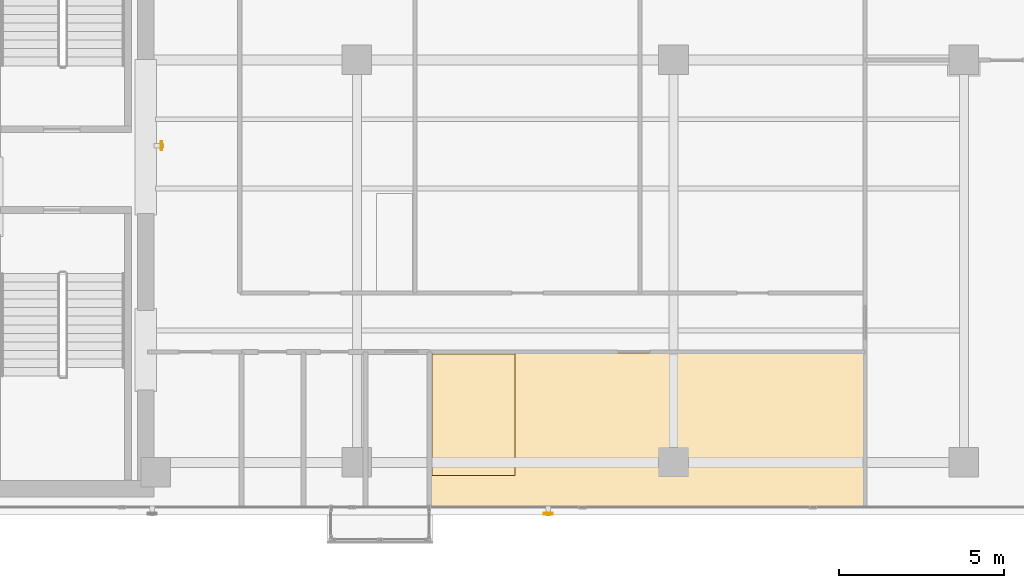
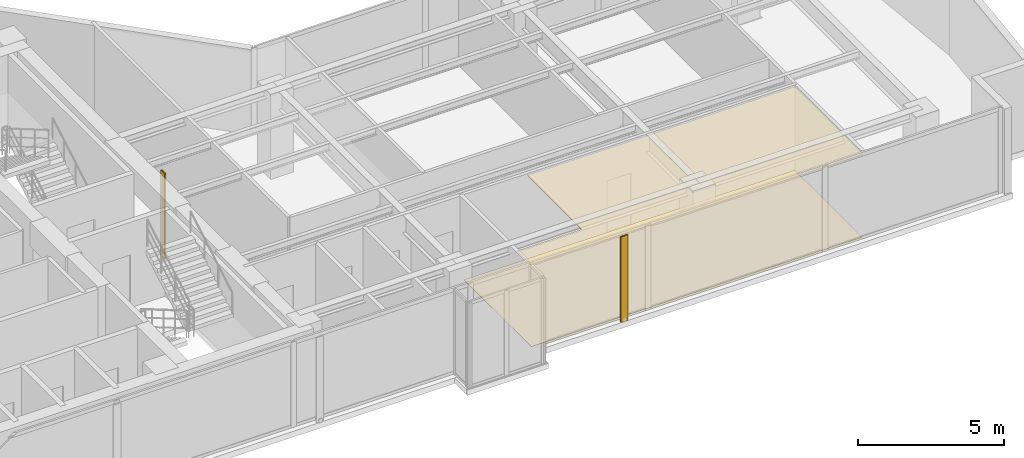
# One storey, part 21 of 24: 2 coverings, 2 shading devices.
"""IFC4 building model written with IfcOpenShell, lengths in metres."""

from ifc_helpers import new_model, si_unit, direction, frame, origin, origin_2d, place, context, subcontext, project, spatial, polyline, hollow_rectangle, outline, extrude, material, layer, layer_set, material_profile, profile_set, type_object, element, save


model = new_model("IFC4")

# Units and contexts
model_context = context("Model", 3, precision=1e-05, world=origin(), true_north=direction((0.0, 1.0)))
body_context = subcontext(model_context, "Body", "Model", "MODEL_VIEW")
ifc_project = project(units=[si_unit("LENGTHUNIT", "METRE"), si_unit("AREAUNIT", "SQUARE_METRE"), si_unit("VOLUMEUNIT", "CUBIC_METRE"), si_unit("PLANEANGLEUNIT", "RADIAN"), si_unit("MASSUNIT", "GRAM", prefix="KILO")], contexts=[model_context])

# Site, building, storey
site_placement = place(None, origin())
site = spatial("IfcSite", under=ifc_project, at=site_placement, CompositionType="ELEMENT")
building_placement = place(site_placement, origin())
building = spatial("IfcBuilding", under=site, at=building_placement, Name="Kolvaren Waterfront Exchange", CompositionType="ELEMENT")
storey_placement = place(building_placement, frame((0.0, 0.0, 293.199951171875)))
storey = spatial("IfcBuildingStorey", under=building, at=storey_placement, Name="L75", CompositionType="ELEMENT", Elevation=293.199951171875)

# Covering
ifc_material_1 = material(Name="Mineral fibre acoustic ceiling tile")
ifc_layer_1 = layer(ifc_material_1, 0.02490234375, Name="Mineral fibre acoustic ceiling tile")
ifc_layer_set_1 = layer_set([ifc_layer_1], Name="Mineral fibre acoustic ceiling tile")
covering_type_1 = type_object("IfcCoveringType", Name="ARC-CEIL-ACOUSTIC-25", PredefinedType="CEILING", material=ifc_layer_set_1)
covering_1_placement = place(storey_placement, frame((0.0, 0.0, 3.445068359375)))
element("IfcCovering", 1, at=covering_1_placement, inside=storey, type_object=covering_type_1, Name="L75 acoustic suspended ceiling 1", PredefinedType="CEILING", context=body_context, shape_type="SweptSolid", body=[
    extrude(outline(polyline([(42.554931640625, 3.844970703125), (42.554931640625, 8.514892578125), (32.0, 8.514892578125), (32.0, 4.800048828125), (29.445068359375, 4.800048828125), (29.445068359375, 3.844970703125), (42.554931640625, 3.844970703125)])), origin(), (0.0, 0.0, 1.0), 0.02490234375),
])

# Shading devices
ifc_material_2 = material(Name="Anodised bronze aluminium 6063-T6", Category="aluminium")
ifc_material_profile = material_profile(ifc_material_2, hollow_rectangle(XDim=0.054931640625, YDim=0.280029296875, WallThickness=0.00439453125, at=origin_2d()), Name="BRZ-FIN-280x55x4.5")
ifc_profile_set = profile_set([ifc_material_profile], Name="Anodised bronze aluminium 6063-T6")
shading_device_type = type_object("IfcShadingDeviceType", Name="ARC-FIN-280", PredefinedType="USERDEFINED", material=ifc_profile_set)
for number, where, z_axis, x_axis, name in (
    (2, (33.0, 3.639892578125, 0.0), (0.0, 0.0, 1.0), (0.0, -1.0, 0.0), "L75 anodised bronze solar shading fin FIN-L75-S3"),
    (3, (21.27587890625, 14.800048828125, 0.0), (0.0, 0.0, 1.0), (1.0, 0.0, 0.0), "L75 anodised bronze solar shading fin FIN-L75-E1"),
):
    element("IfcShadingDevice", number, at=place(storey_placement, frame(where, z_axis=z_axis, x_axis=x_axis)), inside=storey, type_object=shading_device_type, Name=name, ObjectType="SOLAR FIN", PredefinedType="USERDEFINED", context=body_context, shape_type="SweptSolid", body=[
        extrude(hollow_rectangle(XDim=0.054931640625, YDim=0.280029296875, WallThickness=0.00439453125, at=origin_2d()), origin(), (0.0, 0.0, 1.0), 3.56005859375),
    ])

# Covering
ifc_material_3 = material(Name="Slip-resistant porcelain tile")
ifc_layer_2 = layer(ifc_material_3, 0.014892578125, Name="Slip-resistant porcelain tile")
ifc_layer_set_2 = layer_set([ifc_layer_2], Name="Slip-resistant porcelain tile")
covering_type_2 = type_object("IfcCoveringType", Name="ARC-FLR-PORC-15", PredefinedType="FLOORING", material=ifc_layer_set_2)
covering_2_placement = place(storey_placement, origin())
element("IfcCovering", 4, at=covering_2_placement, inside=storey, type_object=covering_type_2, Name="L75 floor finish 1", PredefinedType="FLOORING", context=body_context, shape_type="SweptSolid", body=[
    extrude(outline(polyline([(29.47998046875, 8.47998046875), (29.47998046875, 3.8798828125), (42.52001953125, 3.8798828125), (42.52001953125, 8.47998046875), (29.47998046875, 8.47998046875)])), origin(), (0.0, 0.0, 1.0), 0.01513671875),
])

save(model, "model.ifc")
